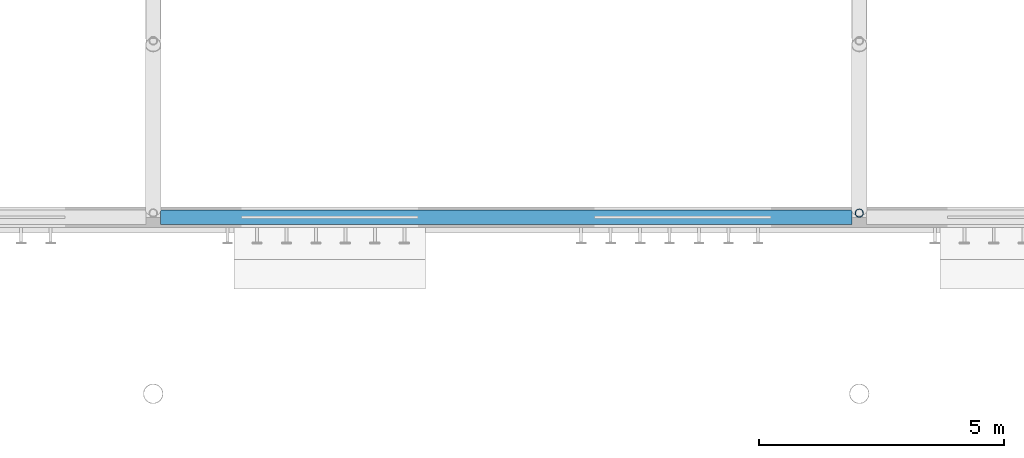
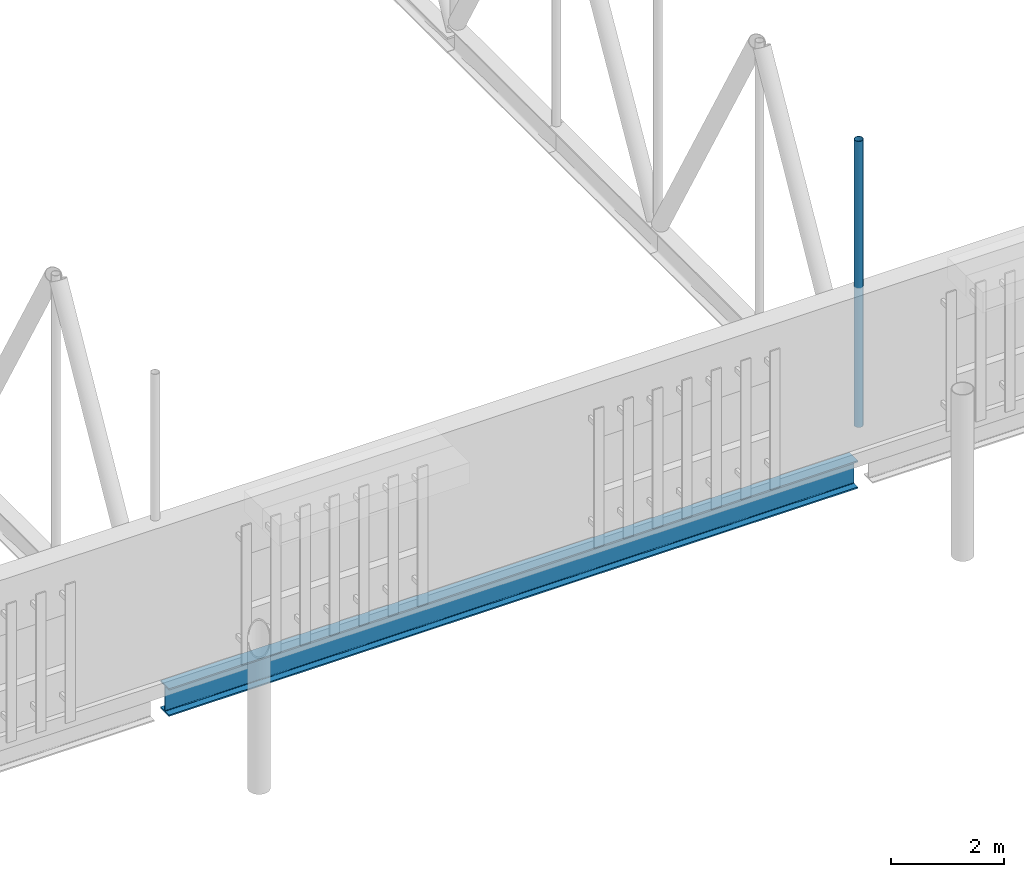
# One storey, part 53 of 142: 1 beam, 1 member.
"""IFC4 building model written with IfcOpenShell, lengths in metres."""

from ifc_helpers import new_model, si_unit, direction, frame, origin, origin_2d, place, context, subcontext, project, spatial, hollow_circle, i_section, extrude, material, material_profile, profile_set, type_object, element, save


model = new_model("IFC4")

# Units and contexts
model_context = context("Model", 3, precision=1e-05, world=origin(), true_north=direction((0.0, 1.0)))
body_context = subcontext(model_context, "Body", "Model", "MODEL_VIEW")
ifc_project = project(units=[si_unit("LENGTHUNIT", "METRE"), si_unit("AREAUNIT", "SQUARE_METRE"), si_unit("VOLUMEUNIT", "CUBIC_METRE"), si_unit("PLANEANGLEUNIT", "RADIAN"), si_unit("MASSUNIT", "GRAM", prefix="KILO")], contexts=[model_context])

# Site, building, storey
site_placement = place(None, origin())
site = spatial("IfcSite", under=ifc_project, at=site_placement, CompositionType="ELEMENT")
building_placement = place(site_placement, origin())
building = spatial("IfcBuilding", under=site, at=building_placement, Name="Kupolbacken Congress Centre", CompositionType="ELEMENT")
storey_placement = place(building_placement, frame((0.0, 0.0, 14.39990234375)))
storey = spatial("IfcBuildingStorey", under=building, at=storey_placement, Name="L04", CompositionType="ELEMENT", Elevation=14.39990234375)

# Beam
ifc_material_1 = material(Name="Steel S355", Category="steel")
ifc_material_profile_1 = material_profile(ifc_material_1, i_section(OverallWidth=0.300048828125, OverallDepth=0.60009765625, WebThickness=0.015380859375, FlangeThickness=0.030029296875, FilletRadius=0.027099609375, at=origin_2d()), Name="HEB 600")
ifc_profile_set_1 = profile_set([ifc_material_profile_1], Name="Steel S355")
beam_type = type_object("IfcBeamType", Name="B15 beam HEB 600", PredefinedType="BEAM", material=ifc_profile_set_1)
beam_placement = place(storey_placement, frame((151.35009765625, 43.199951171875, -0.2998046875), z_axis=(1.0, 0.0, 0.0), x_axis=(0.0, 1.0, 0.0)))
element("IfcBeam", 1, at=beam_placement, inside=storey, type_object=beam_type, Name="Edge girder", PredefinedType="BEAM", context=body_context, shape_type="SweptSolid", body=[
    extrude(i_section(OverallWidth=0.300048828125, OverallDepth=0.60009765625, WebThickness=0.015380859375, FlangeThickness=0.030029296875, FilletRadius=0.027099609375, at=origin_2d()), origin(), (0.0, 0.0, 1.0), 14.099853515625),
])

# Member
ifc_material_2 = material(Name="Steel S355", Category="steel")
ifc_material_profile_2 = material_profile(ifc_material_2, hollow_circle(Radius=0.084228515625, WallThickness=0.008056640625, at=origin_2d()), Name="CHS 168.3 x 8")
ifc_profile_set_2 = profile_set([ifc_material_profile_2], Name="Steel S355")
member_type = type_object("IfcMemberType", Name="M20 transfer truss post CHS 168.3 x 8", PredefinedType="STRUT", material=ifc_profile_set_2)
member_placement = place(storey_placement, frame((165.60009765625, 43.2841796875, 0.580078125), z_axis=(0.0, 0.0, 1.0), x_axis=(0.0, 1.0, 0.0)))
element("IfcMember", 2, at=member_placement, inside=storey, type_object=member_type, Name="HT/T6/P00", PredefinedType="STRUT", context=body_context, shape_type="SweptSolid", body=[
    extrude(hollow_circle(Radius=0.084228515625, WallThickness=0.008056640625, at=origin_2d()), origin(), (0.0, 0.0, 1.0), 6.18994140625),
])

save(model, "model.ifc")
